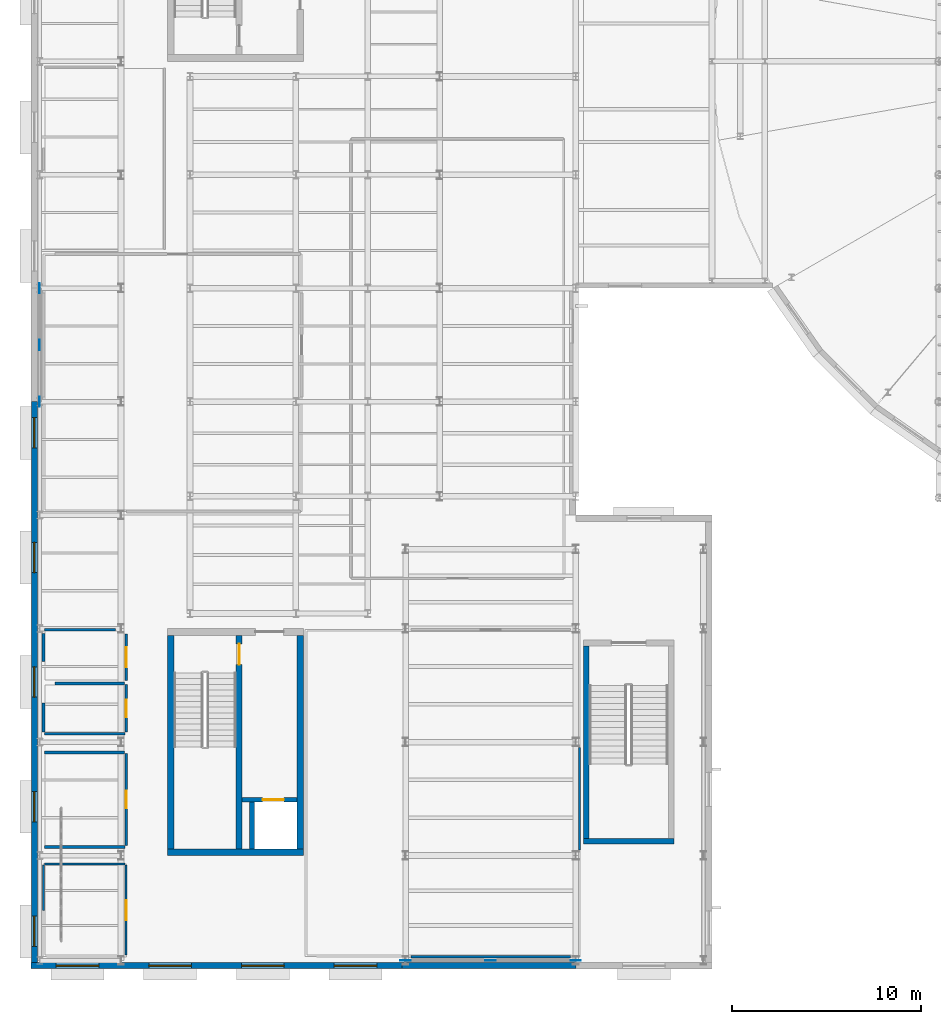
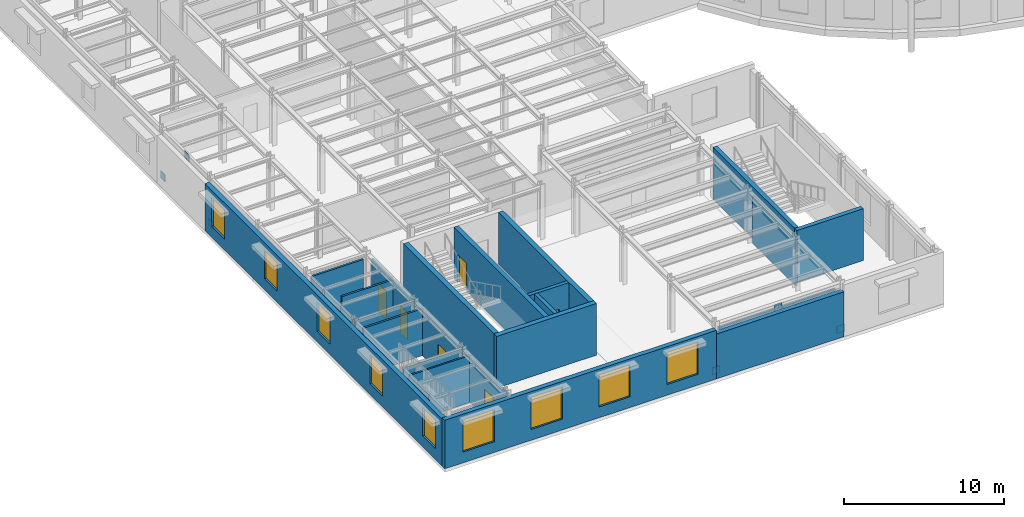
# One storey, part 60 of 75: 26 walls, 9 windows, 6 doors, 6 plates, 15 openings.
"""IFC4 building model written with IfcOpenShell, lengths in metres."""

from ifc_helpers import new_model, si_unit, direction, frame, frame_2d, origin, origin_2d, place, context, subcontext, project, spatial, rectangle, extrude, material, layer, layer_set, type_object, element, fill, save


model = new_model("IFC4")

# Units and contexts
model_context = context("Model", 3, precision=1e-05, world=origin(), true_north=direction((0.0, 1.0)))
body_context = subcontext(model_context, "Body", "Model", "MODEL_VIEW")
ifc_project = project(units=[si_unit("LENGTHUNIT", "METRE"), si_unit("AREAUNIT", "SQUARE_METRE"), si_unit("VOLUMEUNIT", "CUBIC_METRE"), si_unit("PLANEANGLEUNIT", "RADIAN"), si_unit("MASSUNIT", "GRAM", prefix="KILO")], contexts=[model_context])

# Site, building, storey
site_placement = place(None, origin())
site = spatial("IfcSite", under=ifc_project, at=site_placement, CompositionType="ELEMENT")
building_placement = place(site_placement, origin())
building = spatial("IfcBuilding", under=site, at=building_placement, Name="Kolvaren Corner Interchange", CompositionType="ELEMENT")
storey_placement = place(building_placement, frame((0.0, 0.0, 10.5)))
storey = spatial("IfcBuildingStorey", under=building, at=storey_placement, Name="L03", CompositionType="ELEMENT", Elevation=10.5)

# Plates
ifc_material_1 = material(Name="Steel S355", Category="steel")
ifc_layer_1 = layer(ifc_material_1, 0.02490234375)
ifc_layer_set_1 = layer_set([ifc_layer_1], Name="Steel S355")
plate_type = type_object("IfcPlateType", Name="PL-GUSSET-25", PredefinedType="USERDEFINED", material=ifc_layer_set_1)
for number, where, z_axis, x_axis, name in (
    (1, (19.800048828125, 0.449951171875, 0.06494140625), (0.0, 0.0, 1.0), (1.0, 0.0, 0.0), "Storey L03 Bolted Steel Gusset Plate 03 Base Left"),
    (2, (28.800048828125, 0.449951171875, 0.06494140625), (0.0, 0.0, 1.0), (1.0, 0.0, 0.0), "Storey L03 Bolted Steel Gusset Plate 03 Base Right"),
    (3, (24.300048828125, 0.449951171875, 3.31005859375), (0.0, 0.0, 1.0), (1.0, 0.0, 0.0), "Storey L03 Bolted Steel Gusset Plate 03 Apex"),
    (4, (0.449951171875, 30.0, 0.06494140625), (0.0, 0.0, 1.0), (0.0, 1.0, 0.0), "Storey L03 Bolted Steel Gusset Plate 08 Base Left"),
    (5, (0.449951171875, 36.0, 0.06494140625), (0.0, 0.0, 1.0), (0.0, 1.0, 0.0), "Storey L03 Bolted Steel Gusset Plate 08 Base Right"),
    (6, (0.449951171875, 33.0, 3.39990234375), (0.0, 0.0, 1.0), (0.0, 1.0, 0.0), "Storey L03 Bolted Steel Gusset Plate 08 Apex"),
):
    element("IfcPlate", number, at=place(storey_placement, frame(where, z_axis=z_axis, x_axis=x_axis)), inside=storey, type_object=plate_type, Name=name, ObjectType="GUSSET PLATE", PredefinedType="USERDEFINED", context=body_context, shape_type="SweptSolid", body=[
        extrude(rectangle(XDim=0.550048828125, YDim=0.02490234375, at=origin_2d()), origin(), (0.0, 0.0, 1.0), 0.550048828125),
    ])

# Walls
ifc_material_2 = material(Name="Concrete C35/45", Category="concrete")
ifc_layer_2 = layer(ifc_material_2, 0.35009765625)
ifc_layer_set_2 = layer_set([ifc_layer_2], Name="Concrete C35/45")
wall_type_1 = type_object("IfcWallType", Name="WL-CORE-350", PredefinedType="SHEAR", material=ifc_layer_set_2)
wall_1_placement = place(storey_placement, frame((7.199951171875, 6.175048828125, 0.0), z_axis=(0.0, 0.0, 1.0), x_axis=(1.0, 0.0, 0.0)))
element("IfcWall", 7, at=wall_1_placement, inside=storey, type_object=wall_type_1, Name="Core C1 L03 South Shear Wall", PredefinedType="SHEAR", context=body_context, shape_type="SweptSolid", body=[
    extrude(rectangle(XDim=7.199951171875, YDim=0.35009765625, at=frame_2d((3.60009765625, 0.0))), origin(), (0.0, 0.0, 1.0), 3.949951171875),
])
for number, where, z_axis, x_axis, name in (
    (8, (7.375, 6.35009765625, 0.0), (0.0, 0.0, 1.0), (0.0, 1.0, 0.0), "Core C1 L03 West Shear Wall"),
    (9, (14.22509765625, 6.35009765625, 0.0), (0.0, 0.0, 1.0), (0.0, 1.0, 0.0), "Core C1 L03 East Shear Wall"),
):
    element("IfcWall", number, at=place(storey_placement, frame(where, z_axis=z_axis, x_axis=x_axis)), inside=storey, type_object=wall_type_1, Name=name, PredefinedType="SHEAR", context=body_context, shape_type="SweptSolid", body=[
        extrude(rectangle(XDim=11.2998046875, YDim=0.35009765625, at=frame_2d((5.64990234375, 0.0))), origin(), (0.0, 0.0, 1.0), 3.949951171875),
    ])

# Wall, opening, door
ifc_material_3 = material(Name="Concrete C35/45", Category="concrete")
ifc_layer_3 = layer(ifc_material_3, 0.31005859375)
ifc_layer_set_3 = layer_set([ifc_layer_3], Name="Concrete C35/45")
wall_type_2 = type_object("IfcWallType", Name="WL-STAIR-300", PredefinedType="SHEAR", material=ifc_layer_set_3)
wall_2_placement = place(storey_placement, frame((11.0, 6.35009765625, 0.0), z_axis=(0.0, 0.0, 1.0), x_axis=(0.0, 1.0, 0.0)))
wall_2 = element("IfcWall", 10, at=wall_2_placement, inside=storey, type_object=wall_type_2, Name="Core C1 L03 Firefighting Stairwell Divider Wall", PredefinedType="SHEAR", context=body_context, shape_type="SweptSolid", body=[
    extrude(rectangle(XDim=11.2998046875, YDim=0.31005859375, at=frame_2d((5.64990234375, 0.0))), origin(), (0.0, 0.0, 1.0), 3.949951171875),
])
opening_1_placement = place(wall_2_placement, frame((9.75, 0.0, 0.0)))
opening_1 = element("IfcOpeningElement", 11, at=opening_1_placement, cuts=wall_2, Name="Opening D-F03", PredefinedType="OPENING", context=body_context, shape_type="SweptSolid", body=[
    extrude(rectangle(XDim=1.10009765625, YDim=2.14990234375, at=frame_2d((0.550048828125, 1.074951171875))), frame((0.0, 0.1650390625, 0.0), z_axis=(0.0, -1.0, 0.0), x_axis=(1.0, 0.0, 0.0)), (0.0, 0.0, 1.0), 0.330078125),
])
ifc_material_4 = material(Name="Powder-coated Fire-rated Steel Sheet", Category="steel")
door_type_1 = type_object("IfcDoorType", Name="DT-FD-1100x2150", OperationType="NOTDEFINED", PredefinedType="DOOR", material=ifc_material_4)
door_1_placement = place(opening_1_placement, origin())
door_1 = element("IfcDoor", 12, at=door_1_placement, inside=storey, type_object=door_type_1, Name="Core C1 Southwest Firefighting Stair L03 Protected Exit Door", OperationType="SINGLE_SWING_LEFT", OverallHeight=2.14990234375, OverallWidth=1.10009765625, PredefinedType="DOOR", context=body_context, shape_type="SweptSolid", body=[
    extrude(rectangle(XDim=1.10009765625, YDim=2.14990234375, at=frame_2d((0.550048828125, 1.074951171875))), frame((0.0, 0.02490234375, 0.0), z_axis=(0.0, -1.0, 0.0), x_axis=(1.0, 0.0, 0.0)), (0.0, 0.0, 1.0), 0.050048828125),
])
fill(opening_1, door_1)

# Walls
wall_3_placement = place(storey_placement, frame((29.199951171875, 6.7548828125, 0.0), z_axis=(0.0, 0.0, 1.0), x_axis=(1.0, 0.0, 0.0)))
element("IfcWall", 13, at=wall_3_placement, inside=storey, type_object=wall_type_2, Name="Operations South Bar Protected Exit Stair L03 South Enclosure Wall", PredefinedType="SHEAR", context=body_context, shape_type="SweptSolid", body=[
    extrude(rectangle(XDim=4.800048828125, YDim=0.31005859375, at=frame_2d((2.39990234375, 0.0))), origin(), (0.0, 0.0, 1.0), 3.949951171875),
])
wall_4_placement = place(storey_placement, frame((29.35498046875, 6.909912109375, 0.0), z_axis=(0.0, 0.0, 1.0), x_axis=(0.0, 1.0, 0.0)))
element("IfcWall", 14, at=wall_4_placement, inside=storey, type_object=wall_type_2, Name="Operations South Bar Protected Exit Stair L03 West Enclosure Wall", PredefinedType="SHEAR", context=body_context, shape_type="SweptSolid", body=[
    extrude(rectangle(XDim=10.18017578125, YDim=0.31005859375, at=frame_2d((5.090087890625, 0.0))), origin(), (0.0, 0.0, 1.0), 3.949951171875),
])

# Wall, openings, windows
ifc_material_5 = material(Name="Cream Architectural Terracotta Rainscreen Assembly", Category="masonry")
ifc_layer_4 = layer(ifc_material_5, 0.330078125)
ifc_layer_set_4 = layer_set([ifc_layer_4], Name="Cream Architectural Terracotta Rainscreen Assembly")
wall_type_3 = type_object("IfcWallType", Name="WT-EXT-TC320", PredefinedType="SOLIDWALL", material=ifc_layer_set_4)
wall_5_placement = place(storey_placement, frame((0.0, 0.179931640625, 0.0), z_axis=(0.0, 0.0, 1.0), x_axis=(1.0, 0.0, 0.0)))
wall_5 = element("IfcWall", 15, at=wall_5_placement, inside=storey, type_object=wall_type_3, Name="Operations Boulevard South Facade Wall 0025", PredefinedType="SOLIDWALL", context=body_context, shape_type="SweptSolid", body=[
    extrude(rectangle(XDim=19.60009765625, YDim=0.330078125, at=frame_2d((9.800048828125, 0.0))), origin(), (0.0, 0.0, 1.0), 3.705078125),
])
opening_2_placement = place(wall_5_placement, frame((1.324951171875, 0.0, 0.820068359375)))
opening_2 = element("IfcOpeningElement", 16, at=opening_2_placement, cuts=wall_5, Name="Opening W-19", PredefinedType="OPENING", context=body_context, shape_type="SweptSolid", body=[
    extrude(rectangle(XDim=2.25, YDim=2.449951171875, at=frame_2d((1.125, 1.22509765625))), frame((0.0, 0.175048828125, 0.0), z_axis=(0.0, -1.0, 0.0), x_axis=(1.0, 0.0, 0.0)), (0.0, 0.0, 1.0), 0.35009765625),
])
opening_3_placement = place(wall_5_placement, frame((6.22509765625, 0.0, 0.820068359375)))
opening_3 = element("IfcOpeningElement", 17, at=opening_3_placement, cuts=wall_5, Name="Opening W-19", PredefinedType="OPENING", context=body_context, shape_type="SweptSolid", body=[
    extrude(rectangle(XDim=2.25, YDim=2.449951171875, at=frame_2d((1.125, 1.22509765625))), frame((0.0, 0.175048828125, 0.0), z_axis=(0.0, -1.0, 0.0), x_axis=(1.0, 0.0, 0.0)), (0.0, 0.0, 1.0), 0.35009765625),
])
opening_4_placement = place(wall_5_placement, frame((11.125, 0.0, 0.820068359375)))
opening_4 = element("IfcOpeningElement", 18, at=opening_4_placement, cuts=wall_5, Name="Opening W-19", PredefinedType="OPENING", context=body_context, shape_type="SweptSolid", body=[
    extrude(rectangle(XDim=2.25, YDim=2.449951171875, at=frame_2d((1.125, 1.22509765625))), frame((0.0, 0.175048828125, 0.0), z_axis=(0.0, -1.0, 0.0), x_axis=(1.0, 0.0, 0.0)), (0.0, 0.0, 1.0), 0.35009765625),
])
opening_5_placement = place(wall_5_placement, frame((16.02490234375, 0.0, 0.820068359375)))
opening_5 = element("IfcOpeningElement", 19, at=opening_5_placement, cuts=wall_5, Name="Opening W-19", PredefinedType="OPENING", context=body_context, shape_type="SweptSolid", body=[
    extrude(rectangle(XDim=2.25, YDim=2.449951171875, at=frame_2d((1.125, 1.22509765625))), frame((0.0, 0.175048828125, 0.0), z_axis=(0.0, -1.0, 0.0), x_axis=(1.0, 0.0, 0.0)), (0.0, 0.0, 1.0), 0.35009765625),
])
ifc_material_6 = material(Name="Thermally Broken Aluminium and Solar-Control Double Glazing", Category="aluminium")
window_type_1 = type_object("IfcWindowType", Name="WT-CHI-2250x2450", PartitioningType="TRIPLE_PANEL_HORIZONTAL", PredefinedType="WINDOW", material=ifc_material_6)
window_1_placement = place(opening_2_placement, origin())
window_1 = element("IfcWindow", 20, at=window_1_placement, inside=storey, type_object=window_type_1, Name="L03 Operations Boulevard South Facade Window 0057", OverallHeight=2.449951171875, OverallWidth=2.25, PartitioningType="SINGLE_PANEL", PredefinedType="WINDOW", context=body_context, shape_type="SweptSolid", body=[
    extrude(rectangle(XDim=2.25, YDim=2.449951171875, at=frame_2d((1.125, 1.22509765625))), frame((0.0, 0.030029296875, 0.0), z_axis=(0.0, -1.0, 0.0), x_axis=(1.0, 0.0, 0.0)), (0.0, 0.0, 1.0), 0.06005859375),
])
fill(opening_2, window_1)
window_2_placement = place(opening_3_placement, origin())
window_2 = element("IfcWindow", 21, at=window_2_placement, inside=storey, type_object=window_type_1, Name="L03 Operations Boulevard South Facade Window 0058", OverallHeight=2.449951171875, OverallWidth=2.25, PartitioningType="SINGLE_PANEL", PredefinedType="WINDOW", context=body_context, shape_type="SweptSolid", body=[
    extrude(rectangle(XDim=2.25, YDim=2.449951171875, at=frame_2d((1.125, 1.22509765625))), frame((0.0, 0.030029296875, 0.0), z_axis=(0.0, -1.0, 0.0), x_axis=(1.0, 0.0, 0.0)), (0.0, 0.0, 1.0), 0.06005859375),
])
fill(opening_3, window_2)
window_3_placement = place(opening_4_placement, origin())
window_3 = element("IfcWindow", 22, at=window_3_placement, inside=storey, type_object=window_type_1, Name="L03 Operations Boulevard South Facade Window 0059", OverallHeight=2.449951171875, OverallWidth=2.25, PartitioningType="SINGLE_PANEL", PredefinedType="WINDOW", context=body_context, shape_type="SweptSolid", body=[
    extrude(rectangle(XDim=2.25, YDim=2.449951171875, at=frame_2d((1.125, 1.22509765625))), frame((0.0, 0.030029296875, 0.0), z_axis=(0.0, -1.0, 0.0), x_axis=(1.0, 0.0, 0.0)), (0.0, 0.0, 1.0), 0.06005859375),
])
fill(opening_4, window_3)
window_4_placement = place(opening_5_placement, origin())
window_4 = element("IfcWindow", 23, at=window_4_placement, inside=storey, type_object=window_type_1, Name="L03 Operations Boulevard South Facade Window 0060", OverallHeight=2.449951171875, OverallWidth=2.25, PartitioningType="SINGLE_PANEL", PredefinedType="WINDOW", context=body_context, shape_type="SweptSolid", body=[
    extrude(rectangle(XDim=2.25, YDim=2.449951171875, at=frame_2d((1.125, 1.22509765625))), frame((0.0, 0.030029296875, 0.0), z_axis=(0.0, -1.0, 0.0), x_axis=(1.0, 0.0, 0.0)), (0.0, 0.0, 1.0), 0.06005859375),
])
fill(opening_5, window_4)

# Wall
wall_6_placement = place(storey_placement, frame((19.60009765625, 0.179931640625, 0.0), z_axis=(0.0, 0.0, 1.0), x_axis=(1.0, 0.0, 0.0)))
element("IfcWall", 24, at=wall_6_placement, inside=storey, type_object=wall_type_3, Name="Operations Boulevard South Facade Wall 0026", PredefinedType="SOLIDWALL", context=body_context, shape_type="SweptSolid", body=[
    extrude(rectangle(XDim=9.199951171875, YDim=0.330078125, at=frame_2d((4.60009765625, 0.0))), origin(), (0.0, 0.0, 1.0), 3.425048828125),
])

# Wall, openings, windows
wall_7_placement = place(storey_placement, frame((0.169921875, 30.0, 0.0), z_axis=(0.0, 0.0, 1.0), x_axis=(0.0, -1.0, 0.0)))
wall_7 = element("IfcWall", 25, at=wall_7_placement, inside=storey, type_object=wall_type_3, Name="Operations Trelmava Street West Facade Wall 0036", PredefinedType="SOLIDWALL", context=body_context, shape_type="SweptSolid", body=[
    extrude(rectangle(XDim=29.655029296875, YDim=0.330078125, at=frame_2d((14.82763671875, 0.0))), origin(), (0.0, 0.0, 1.0), 3.5849609375),
])
opening_6_placement = place(wall_7_placement, frame((0.847412109375, 0.0, 0.820068359375)))
opening_6 = element("IfcOpeningElement", 26, at=opening_6_placement, cuts=wall_7, Name="Opening W-13", PredefinedType="OPENING", context=body_context, shape_type="SweptSolid", body=[
    extrude(rectangle(XDim=1.60009765625, YDim=2.199951171875, at=frame_2d((0.800048828125, 1.10009765625))), frame((0.0, 0.175048828125, 0.0), z_axis=(0.0, -1.0, 0.0), x_axis=(1.0, 0.0, 0.0)), (0.0, 0.0, 1.0), 0.35009765625),
])
opening_7_placement = place(wall_7_placement, frame((7.4375, 0.0, 0.820068359375)))
opening_7 = element("IfcOpeningElement", 27, at=opening_7_placement, cuts=wall_7, Name="Opening W-13", PredefinedType="OPENING", context=body_context, shape_type="SweptSolid", body=[
    extrude(rectangle(XDim=1.60009765625, YDim=2.199951171875, at=frame_2d((0.800048828125, 1.10009765625))), frame((0.0, 0.175048828125, 0.0), z_axis=(0.0, -1.0, 0.0), x_axis=(1.0, 0.0, 0.0)), (0.0, 0.0, 1.0), 0.35009765625),
])
opening_8_placement = place(wall_7_placement, frame((14.027587890625, 0.0, 0.820068359375)))
opening_8 = element("IfcOpeningElement", 28, at=opening_8_placement, cuts=wall_7, Name="Opening W-13", PredefinedType="OPENING", context=body_context, shape_type="SweptSolid", body=[
    extrude(rectangle(XDim=1.60009765625, YDim=2.199951171875, at=frame_2d((0.800048828125, 1.10009765625))), frame((0.0, 0.175048828125, 0.0), z_axis=(0.0, -1.0, 0.0), x_axis=(1.0, 0.0, 0.0)), (0.0, 0.0, 1.0), 0.35009765625),
])
opening_9_placement = place(wall_7_placement, frame((20.617431640625, 0.0, 0.820068359375)))
opening_9 = element("IfcOpeningElement", 29, at=opening_9_placement, cuts=wall_7, Name="Opening W-13", PredefinedType="OPENING", context=body_context, shape_type="SweptSolid", body=[
    extrude(rectangle(XDim=1.60009765625, YDim=2.199951171875, at=frame_2d((0.800048828125, 1.10009765625))), frame((0.0, 0.175048828125, 0.0), z_axis=(0.0, -1.0, 0.0), x_axis=(1.0, 0.0, 0.0)), (0.0, 0.0, 1.0), 0.35009765625),
])
opening_10_placement = place(wall_7_placement, frame((27.20751953125, 0.0, 0.820068359375)))
opening_10 = element("IfcOpeningElement", 30, at=opening_10_placement, cuts=wall_7, Name="Opening W-13", PredefinedType="OPENING", context=body_context, shape_type="SweptSolid", body=[
    extrude(rectangle(XDim=1.60009765625, YDim=2.199951171875, at=frame_2d((0.800048828125, 1.10009765625))), frame((0.0, 0.175048828125, 0.0), z_axis=(0.0, -1.0, 0.0), x_axis=(1.0, 0.0, 0.0)), (0.0, 0.0, 1.0), 0.35009765625),
])
ifc_material_7 = material(Name="Thermally Broken Aluminium and Solar-Control Double Glazing", Category="aluminium")
window_type_2 = type_object("IfcWindowType", Name="WT-CHI-1600x2200", PartitioningType="DOUBLE_PANEL_VERTICAL", PredefinedType="WINDOW", material=ifc_material_7)
window_5_placement = place(opening_6_placement, origin())
window_5 = element("IfcWindow", 31, at=window_5_placement, inside=storey, type_object=window_type_2, Name="L03 Operations Trelmava Street West Facade Window 0081", OverallHeight=2.199951171875, OverallWidth=1.60009765625, PartitioningType="SINGLE_PANEL", PredefinedType="WINDOW", context=body_context, shape_type="SweptSolid", body=[
    extrude(rectangle(XDim=1.60009765625, YDim=2.199951171875, at=frame_2d((0.800048828125, 1.10009765625))), frame((0.0, 0.030029296875, 0.0), z_axis=(0.0, -1.0, 0.0), x_axis=(1.0, 0.0, 0.0)), (0.0, 0.0, 1.0), 0.06005859375),
])
fill(opening_6, window_5)
window_6_placement = place(opening_7_placement, origin())
window_6 = element("IfcWindow", 32, at=window_6_placement, inside=storey, type_object=window_type_2, Name="L03 Operations Trelmava Street West Facade Window 0082", OverallHeight=2.199951171875, OverallWidth=1.60009765625, PartitioningType="SINGLE_PANEL", PredefinedType="WINDOW", context=body_context, shape_type="SweptSolid", body=[
    extrude(rectangle(XDim=1.60009765625, YDim=2.199951171875, at=frame_2d((0.800048828125, 1.10009765625))), frame((0.0, 0.030029296875, 0.0), z_axis=(0.0, -1.0, 0.0), x_axis=(1.0, 0.0, 0.0)), (0.0, 0.0, 1.0), 0.06005859375),
])
fill(opening_7, window_6)
window_7_placement = place(opening_8_placement, origin())
window_7 = element("IfcWindow", 33, at=window_7_placement, inside=storey, type_object=window_type_2, Name="L03 Operations Trelmava Street West Facade Window 0083", OverallHeight=2.199951171875, OverallWidth=1.60009765625, PartitioningType="SINGLE_PANEL", PredefinedType="WINDOW", context=body_context, shape_type="SweptSolid", body=[
    extrude(rectangle(XDim=1.60009765625, YDim=2.199951171875, at=frame_2d((0.800048828125, 1.10009765625))), frame((0.0, 0.030029296875, 0.0), z_axis=(0.0, -1.0, 0.0), x_axis=(1.0, 0.0, 0.0)), (0.0, 0.0, 1.0), 0.06005859375),
])
fill(opening_8, window_7)
window_8_placement = place(opening_9_placement, origin())
window_8 = element("IfcWindow", 34, at=window_8_placement, inside=storey, type_object=window_type_2, Name="L03 Operations Trelmava Street West Facade Window 0084", OverallHeight=2.199951171875, OverallWidth=1.60009765625, PartitioningType="SINGLE_PANEL", PredefinedType="WINDOW", context=body_context, shape_type="SweptSolid", body=[
    extrude(rectangle(XDim=1.60009765625, YDim=2.199951171875, at=frame_2d((0.800048828125, 1.10009765625))), frame((0.0, 0.030029296875, 0.0), z_axis=(0.0, -1.0, 0.0), x_axis=(1.0, 0.0, 0.0)), (0.0, 0.0, 1.0), 0.06005859375),
])
fill(opening_9, window_8)
window_9_placement = place(opening_10_placement, origin())
window_9 = element("IfcWindow", 35, at=window_9_placement, inside=storey, type_object=window_type_2, Name="L03 Operations Trelmava Street West Facade Window 0085", OverallHeight=2.199951171875, OverallWidth=1.60009765625, PartitioningType="SINGLE_PANEL", PredefinedType="WINDOW", context=body_context, shape_type="SweptSolid", body=[
    extrude(rectangle(XDim=1.60009765625, YDim=2.199951171875, at=frame_2d((0.800048828125, 1.10009765625))), frame((0.0, 0.030029296875, 0.0), z_axis=(0.0, -1.0, 0.0), x_axis=(1.0, 0.0, 0.0)), (0.0, 0.0, 1.0), 0.06005859375),
])
fill(opening_10, window_9)

# Walls
ifc_material_8 = material(Name="Standard Metal-Stud Drywall Partition")
ifc_layer_5 = layer(ifc_material_8, 0.1201171875)
ifc_layer_set_5 = layer_set([ifc_layer_5], Name="Standard Metal-Stud Drywall Partition")
wall_type_4 = type_object("IfcWallType", Name="WT-PART-ST125", PredefinedType="PARTITIONING", material=ifc_layer_set_5)
wall_8_placement = place(storey_placement, frame((20.0849609375, 0.64990234375, 0.0), z_axis=(0.0, 0.0, 1.0), x_axis=(1.0, 0.0, 0.0)))
element("IfcWall", 36, at=wall_8_placement, inside=storey, type_object=wall_type_4, Name="L03 Ticketing Revenue and Clearing Suite Partition Wall 126", PredefinedType="PARTITIONING", context=body_context, shape_type="SweptSolid", body=[
    extrude(rectangle(XDim=8.429931640625, YDim=0.1201171875, at=frame_2d((4.21484375, 0.0))), origin(), (0.0, 0.0, 1.0), 3.425048828125),
])
wall_9_placement = place(storey_placement, frame((29.0, 6.284912109375, 0.0), z_axis=(0.0, 0.0, 1.0), x_axis=(0.0, 1.0, 0.0)))
element("IfcWall", 37, at=wall_9_placement, inside=storey, type_object=wall_type_4, Name="L03 Ticketing Revenue and Clearing Suite Partition Wall 127", PredefinedType="PARTITIONING", context=body_context, shape_type="SweptSolid", body=[
    extrude(rectangle(XDim=5.43017578125, YDim=0.1201171875, at=frame_2d((2.715087890625, 0.0))), origin(), (0.0, 0.0, 1.0), 3.56494140625),
])

# Wall, opening, door
wall_10_placement = place(storey_placement, frame((5.02001953125, 0.735107421875, 0.0), z_axis=(0.0, 0.0, 1.0), x_axis=(0.0, 1.0, 0.0)))
wall_10 = element("IfcWall", 38, at=wall_10_placement, inside=storey, type_object=wall_type_4, Name="L03 Station Director Office Partition Wall 142", PredefinedType="PARTITIONING", context=body_context, shape_type="SweptSolid", body=[
    extrude(rectangle(XDim=4.764892578125, YDim=0.1201171875, at=frame_2d((2.38232421875, 0.0))), origin(), (0.0, 0.0, 1.0), 3.580078125),
])
opening_11_placement = place(wall_10_placement, frame((1.857421875, 0.0, 0.0)))
opening_11 = element("IfcOpeningElement", 39, at=opening_11_placement, cuts=wall_10, Name="Opening D-I02", PredefinedType="OPENING", context=body_context, shape_type="SweptSolid", body=[
    extrude(rectangle(XDim=1.050048828125, YDim=2.14990234375, at=frame_2d((0.52490234375, 1.074951171875))), frame((0.0, 0.070068359375, 0.0), z_axis=(0.0, -1.0, 0.0), x_axis=(1.0, 0.0, 0.0)), (0.0, 0.0, 1.0), 0.14013671875),
])
ifc_material_9 = material(Name="Solid-Core Iroko Timber Door", Category="wood")
door_type_2 = type_object("IfcDoorType", Name="DT-INT-1050x2150", OperationType="NOTDEFINED", PredefinedType="DOOR", material=ifc_material_9)
door_2_placement = place(opening_11_placement, origin())
door_2 = element("IfcDoor", 40, at=door_2_placement, inside=storey, type_object=door_type_2, Name="L03 Station Director Office Door", OperationType="SINGLE_SWING_LEFT", OverallHeight=2.14990234375, OverallWidth=1.050048828125, PredefinedType="DOOR", context=body_context, shape_type="SweptSolid", body=[
    extrude(rectangle(XDim=1.050048828125, YDim=2.14990234375, at=frame_2d((0.52490234375, 1.074951171875))), frame((0.0, 0.02490234375, 0.0), z_axis=(0.0, -1.0, 0.0), x_axis=(1.0, 0.0, 0.0)), (0.0, 0.0, 1.0), 0.050048828125),
])
fill(opening_11, door_2)

# Walls
wall_11_placement = place(storey_placement, frame((4.9580078125, 5.550048828125, 0.0), z_axis=(0.0, 0.0, 1.0), x_axis=(-1.0, 0.0, 0.0)))
element("IfcWall", 41, at=wall_11_placement, inside=storey, type_object=wall_type_4, Name="L03 Station Director Office Partition Wall 143", PredefinedType="PARTITIONING", context=body_context, shape_type="SweptSolid", body=[
    extrude(rectangle(XDim=4.258056640625, YDim=0.1201171875, at=frame_2d((2.12890625, 0.0))), origin(), (0.0, 0.0, 1.0), 3.580078125),
])
wall_12_placement = place(storey_placement, frame((0.64990234375, 5.488037109375, 0.0), z_axis=(0.0, 0.0, 1.0), x_axis=(0.0, -1.0, 0.0)))
element("IfcWall", 42, at=wall_12_placement, inside=storey, type_object=wall_type_4, Name="L03 Station Director Office Partition Wall 144", PredefinedType="PARTITIONING", context=body_context, shape_type="SweptSolid", body=[
    extrude(rectangle(XDim=2.3955078125, YDim=0.1201171875, at=frame_2d((1.19775390625, 0.0))), origin(), (0.0, 0.0, 1.0), 3.580078125),
])
ifc_material_10 = material(Name="Moisture-Resistant Ceramic Tile Partition")
ifc_layer_6 = layer(ifc_material_10, 0.139892578125)
ifc_layer_set_6 = layer_set([ifc_layer_6], Name="Moisture-Resistant Ceramic Tile Partition")
wall_type_5 = type_object("IfcWallType", Name="WT-PART-WC140", PredefinedType="PARTITIONING", material=ifc_layer_set_6)
wall_13_placement = place(storey_placement, frame((0.699951171875, 6.449951171875, 0.0), z_axis=(0.0, 0.0, 1.0), x_axis=(1.0, 0.0, 0.0)))
element("IfcWall", 43, at=wall_13_placement, inside=storey, type_object=wall_type_5, Name="L03 Male WC Partition Wall 145", PredefinedType="PARTITIONING", context=body_context, shape_type="SweptSolid", body=[
    extrude(rectangle(XDim=4.27001953125, YDim=0.139892578125, at=frame_2d((2.135009765625, 0.0))), origin(), (0.0, 0.0, 1.0), 3.580078125),
])

# Wall, opening, door
wall_14_placement = place(storey_placement, frame((5.02001953125, 6.52197265625, 0.0), z_axis=(0.0, 0.0, 1.0), x_axis=(0.0, 1.0, 0.0)))
wall_14 = element("IfcWall", 44, at=wall_14_placement, inside=storey, type_object=wall_type_5, Name="L03 Male WC Partition Wall 146", PredefinedType="PARTITIONING", context=body_context, shape_type="SweptSolid", body=[
    extrude(rectangle(XDim=4.8779296875, YDim=0.139892578125, at=frame_2d((2.43896484375, 0.0))), origin(), (0.0, 0.0, 1.0), 3.580078125),
])
opening_12_placement = place(wall_14_placement, frame((1.97900390625, 0.0, 0.0)))
opening_12 = element("IfcOpeningElement", 45, at=opening_12_placement, cuts=wall_14, Name="Opening D-I04", PredefinedType="OPENING", context=body_context, shape_type="SweptSolid", body=[
    extrude(rectangle(XDim=0.919921875, YDim=2.080078125, at=frame_2d((0.4599609375, 1.0400390625))), frame((0.0, 0.079833984375, 0.0), z_axis=(0.0, -1.0, 0.0), x_axis=(1.0, 0.0, 0.0)), (0.0, 0.0, 1.0), 0.159912109375),
])
ifc_material_11 = material(Name="Moisture-Resistant Laminate Timber Door", Category="wood")
door_type_3 = type_object("IfcDoorType", Name="DT-WC-920x2100", OperationType="NOTDEFINED", PredefinedType="DOOR", material=ifc_material_11)
door_3_placement = place(opening_12_placement, origin())
door_3 = element("IfcDoor", 46, at=door_3_placement, inside=storey, type_object=door_type_3, Name="L03 Male WC Door", OperationType="SINGLE_SWING_RIGHT", OverallHeight=2.080078125, OverallWidth=0.919921875, PredefinedType="DOOR", context=body_context, shape_type="SweptSolid", body=[
    extrude(rectangle(XDim=0.919921875, YDim=2.080078125, at=frame_2d((0.4599609375, 1.0400390625))), frame((0.0, 0.02490234375, 0.0), z_axis=(0.0, -1.0, 0.0), x_axis=(1.0, 0.0, 0.0)), (0.0, 0.0, 1.0), 0.050048828125),
])
fill(opening_12, door_3)

# Walls
wall_15_placement = place(storey_placement, frame((4.947998046875, 11.449951171875, 0.0), z_axis=(0.0, 0.0, 1.0), x_axis=(-1.0, 0.0, 0.0)))
element("IfcWall", 47, at=wall_15_placement, inside=storey, type_object=wall_type_5, Name="L03 Male WC Partition Wall 147", PredefinedType="PARTITIONING", context=body_context, shape_type="SweptSolid", body=[
    extrude(rectangle(XDim=4.248046875, YDim=0.139892578125, at=frame_2d((2.1240234375, 0.0))), origin(), (0.0, 0.0, 1.0), 3.580078125),
])
wall_16_placement = place(storey_placement, frame((0.699951171875, 12.449951171875, 0.0), z_axis=(0.0, 0.0, 1.0), x_axis=(1.0, 0.0, 0.0)))
element("IfcWall", 48, at=wall_16_placement, inside=storey, type_object=wall_type_5, Name="L03 Female WC Partition Wall 148", PredefinedType="PARTITIONING", context=body_context, shape_type="SweptSolid", body=[
    extrude(rectangle(XDim=4.27001953125, YDim=0.139892578125, at=frame_2d((2.135009765625, 0.0))), origin(), (0.0, 0.0, 1.0), 3.580078125),
])

# Wall, opening, door
wall_17_placement = place(storey_placement, frame((5.02001953125, 12.52197265625, 0.0), z_axis=(0.0, 0.0, 1.0), x_axis=(0.0, 1.0, 0.0)))
wall_17 = element("IfcWall", 49, at=wall_17_placement, inside=storey, type_object=wall_type_5, Name="L03 Female WC Partition Wall 149", PredefinedType="PARTITIONING", context=body_context, shape_type="SweptSolid", body=[
    extrude(rectangle(XDim=2.528076171875, YDim=0.139892578125, at=frame_2d((1.26416015625, 0.0))), origin(), (0.0, 0.0, 1.0), 3.580078125),
])
opening_13_placement = place(wall_17_placement, frame((0.803955078125, 0.0, 0.0)))
opening_13 = element("IfcOpeningElement", 50, at=opening_13_placement, cuts=wall_17, Name="Opening D-I04", PredefinedType="OPENING", context=body_context, shape_type="SweptSolid", body=[
    extrude(rectangle(XDim=0.919921875, YDim=2.080078125, at=frame_2d((0.4599609375, 1.0400390625))), frame((0.0, 0.079833984375, 0.0), z_axis=(0.0, -1.0, 0.0), x_axis=(1.0, 0.0, 0.0)), (0.0, 0.0, 1.0), 0.159912109375),
])
door_4_placement = place(opening_13_placement, origin())
door_4 = element("IfcDoor", 51, at=door_4_placement, inside=storey, type_object=door_type_3, Name="L03 Female WC Door", OperationType="SINGLE_SWING_LEFT", OverallHeight=2.080078125, OverallWidth=0.919921875, PredefinedType="DOOR", context=body_context, shape_type="SweptSolid", body=[
    extrude(rectangle(XDim=0.919921875, YDim=2.080078125, at=frame_2d((0.4599609375, 1.0400390625))), frame((0.0, 0.02490234375, 0.0), z_axis=(0.0, -1.0, 0.0), x_axis=(1.0, 0.0, 0.0)), (0.0, 0.0, 1.0), 0.050048828125),
])
fill(opening_13, door_4)

# Walls
wall_18_placement = place(storey_placement, frame((4.947998046875, 15.10009765625, 0.0), z_axis=(0.0, 0.0, 1.0), x_axis=(-1.0, 0.0, 0.0)))
element("IfcWall", 52, at=wall_18_placement, inside=storey, type_object=wall_type_5, Name="L03 Female WC Partition Wall 150", PredefinedType="PARTITIONING", context=body_context, shape_type="SweptSolid", body=[
    extrude(rectangle(XDim=3.677978515625, YDim=0.139892578125, at=frame_2d((1.8388671875, 0.0))), origin(), (0.0, 0.0, 1.0), 3.580078125),
])
wall_19_placement = place(storey_placement, frame((0.64990234375, 14.072509765625, 0.0), z_axis=(0.0, 0.0, 1.0), x_axis=(0.0, -1.0, 0.0)))
element("IfcWall", 53, at=wall_19_placement, inside=storey, type_object=wall_type_5, Name="L03 Female WC Partition Wall 151", PredefinedType="PARTITIONING", context=body_context, shape_type="SweptSolid", body=[
    extrude(rectangle(XDim=1.550537109375, YDim=0.139892578125, at=frame_2d((0.775390625, 0.0))), origin(), (0.0, 0.0, 1.0), 3.580078125),
])

# Wall, opening, door
wall_20_placement = place(storey_placement, frame((5.02001953125, 15.25, 0.0), z_axis=(0.0, 0.0, 1.0), x_axis=(0.0, 1.0, 0.0)))
wall_20 = element("IfcWall", 54, at=wall_20_placement, inside=storey, type_object=wall_type_5, Name="L03 Accessible WC Partition Wall 152", PredefinedType="PARTITIONING", context=body_context, shape_type="SweptSolid", body=[
    extrude(rectangle(XDim=2.465087890625, YDim=0.139892578125, at=frame_2d((1.232421875, 0.0))), origin(), (0.0, 0.0, 1.0), 3.580078125),
])
opening_14_placement = place(wall_20_placement, frame((0.71240234375, 0.0, 0.0)))
opening_14 = element("IfcOpeningElement", 55, at=opening_14_placement, cuts=wall_20, Name="Opening D-I05", PredefinedType="OPENING", context=body_context, shape_type="SweptSolid", body=[
    extrude(rectangle(XDim=1.0400390625, YDim=2.10009765625, at=frame_2d((0.52001953125, 1.050048828125))), frame((0.0, 0.079833984375, 0.0), z_axis=(0.0, -1.0, 0.0), x_axis=(1.0, 0.0, 0.0)), (0.0, 0.0, 1.0), 0.159912109375),
])
ifc_material_12 = material(Name="Accessible Outward-Opening Timber Door", Category="wood")
door_type_4 = type_object("IfcDoorType", Name="DT-AWC-1040x2100", OperationType="NOTDEFINED", PredefinedType="DOOR", material=ifc_material_12)
door_5_placement = place(opening_14_placement, origin())
door_5 = element("IfcDoor", 56, at=door_5_placement, inside=storey, type_object=door_type_4, Name="L03 Accessible WC Door", OperationType="SINGLE_SWING_RIGHT", OverallHeight=2.10009765625, OverallWidth=1.0400390625, PredefinedType="DOOR", context=body_context, shape_type="SweptSolid", body=[
    extrude(rectangle(XDim=1.0400390625, YDim=2.10009765625, at=frame_2d((0.52001953125, 1.050048828125))), frame((0.0, 0.02490234375, 0.0), z_axis=(0.0, -1.0, 0.0), x_axis=(1.0, 0.0, 0.0)), (0.0, 0.0, 1.0), 0.050048828125),
])
fill(opening_14, door_5)

# Walls
wall_21_placement = place(storey_placement, frame((4.465087890625, 17.949951171875, 0.0), z_axis=(0.0, 0.0, 1.0), x_axis=(-1.0, 0.0, 0.0)))
element("IfcWall", 57, at=wall_21_placement, inside=storey, type_object=wall_type_5, Name="L03 Accessible WC Partition Wall 153", PredefinedType="PARTITIONING", context=body_context, shape_type="SweptSolid", body=[
    extrude(rectangle(XDim=3.755126953125, YDim=0.139892578125, at=frame_2d((1.87744140625, 0.0))), origin(), (0.0, 0.0, 1.0), 3.580078125),
])
wall_22_placement = place(storey_placement, frame((0.64990234375, 17.739990234375, 0.0), z_axis=(0.0, 0.0, 1.0), x_axis=(0.0, -1.0, 0.0)))
element("IfcWall", 58, at=wall_22_placement, inside=storey, type_object=wall_type_5, Name="L03 Accessible WC Partition Wall 154", PredefinedType="PARTITIONING", context=body_context, shape_type="SweptSolid", body=[
    extrude(rectangle(XDim=1.467529296875, YDim=0.139892578125, at=frame_2d((0.73388671875, 0.0))), origin(), (0.0, 0.0, 1.0), 3.580078125),
])

# Wall, opening, door
ifc_material_13 = material(Name="Concrete C35/45", Category="concrete")
ifc_layer_7 = layer(ifc_material_13, 0.25)
ifc_layer_set_7 = layer_set([ifc_layer_7], Name="Concrete C35/45")
wall_type_6 = type_object("IfcWallType", Name="WT-SHAFT-RC250", PredefinedType="SHEAR", material=ifc_layer_set_7)
wall_23_placement = place(storey_placement, frame((11.155029296875, 8.949951171875, 0.0), z_axis=(0.0, 0.0, 1.0), x_axis=(1.0, 0.0, 0.0)))
wall_23 = element("IfcWall", 59, at=wall_23_placement, inside=storey, type_object=wall_type_6, Name="Core C1 L03 Firefighting Lift Front Shaft Wall", PredefinedType="SHEAR", context=body_context, shape_type="SweptSolid", body=[
    extrude(rectangle(XDim=2.89501953125, YDim=0.25, at=frame_2d((1.447509765625, 0.0))), origin(), (0.0, 0.0, 1.0), 3.949951171875),
])
opening_15_placement = place(wall_23_placement, frame((1.0849609375, 0.0, 0.0)))
opening_15 = element("IfcOpeningElement", 60, at=opening_15_placement, cuts=wall_23, Name="Opening LD-LF-FF1-L03", PredefinedType="OPENING", context=body_context, shape_type="SweptSolid", body=[
    extrude(rectangle(XDim=1.1201171875, YDim=2.14990234375, at=frame_2d((0.56005859375, 1.074951171875))), frame((0.0, 0.135009765625, 0.0), z_axis=(0.0, -1.0, 0.0), x_axis=(1.0, 0.0, 0.0)), (0.0, 0.0, 1.0), 0.27001953125),
])
ifc_material_14 = material(Name="Brushed Stainless Steel Landing Door", Category="steel")
door_type_5 = type_object("IfcDoorType", Name="DT-LIFT-1120", OperationType="NOTDEFINED", PredefinedType="DOOR", material=ifc_material_14)
door_6_placement = place(opening_15_placement, origin())
door_6 = element("IfcDoor", 61, at=door_6_placement, inside=storey, type_object=door_type_5, Name="Firefighting Lift LF-FF1 L03 Sliding Landing Door", OperationType="SLIDING_TO_LEFT", OverallHeight=2.14990234375, OverallWidth=1.1201171875, PredefinedType="DOOR", context=body_context, shape_type="SweptSolid", body=[
    extrude(rectangle(XDim=1.1201171875, YDim=2.14990234375, at=frame_2d((0.56005859375, 1.074951171875))), frame((0.0, 0.02490234375, 0.0), z_axis=(0.0, -1.0, 0.0), x_axis=(1.0, 0.0, 0.0)), (0.0, 0.0, 1.0), 0.050048828125),
])
fill(opening_15, door_6)

# Wall
wall_24_placement = place(storey_placement, frame((11.675048828125, 6.35009765625, 0.0), z_axis=(0.0, 0.0, 1.0), x_axis=(0.0, 1.0, 0.0)))
element("IfcWall", 62, at=wall_24_placement, inside=storey, type_object=wall_type_6, Name="Core C1 L03 Firefighting Lift Side Shaft Wall", PredefinedType="SHEAR", context=body_context, shape_type="SweptSolid", body=[
    extrude(rectangle(XDim=2.474853515625, YDim=0.25, at=frame_2d((1.2373046875, 0.0))), origin(), (0.0, 0.0, 1.0), 3.949951171875),
])

save(model, "model.ifc")
